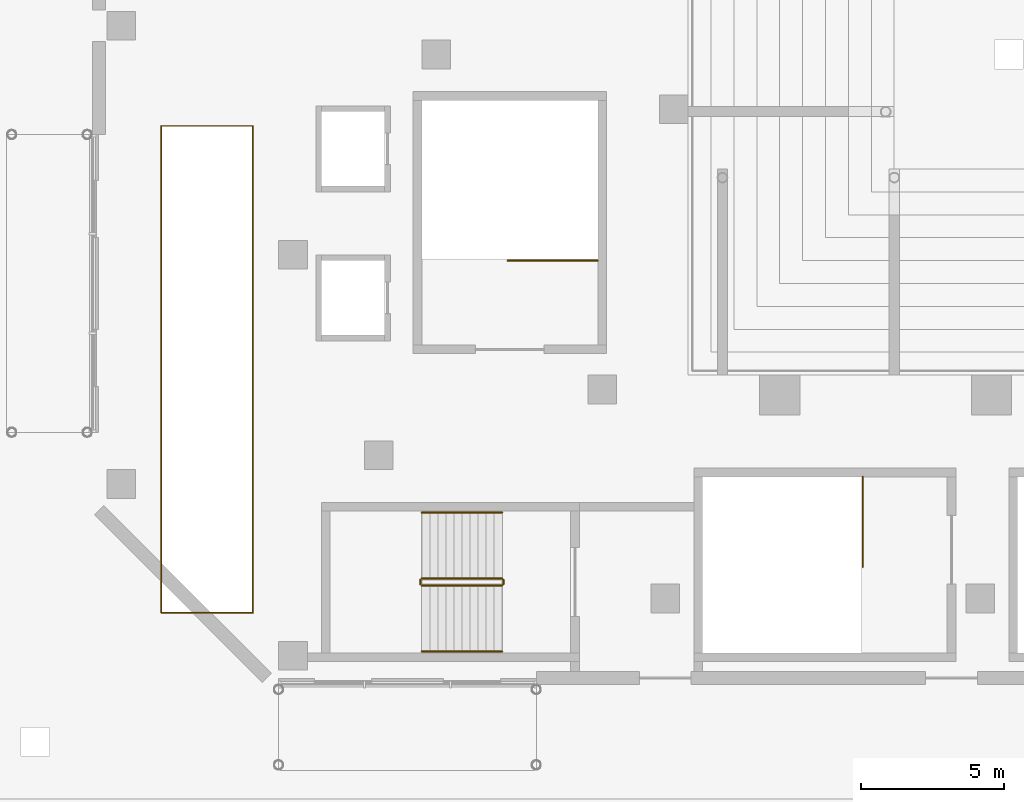
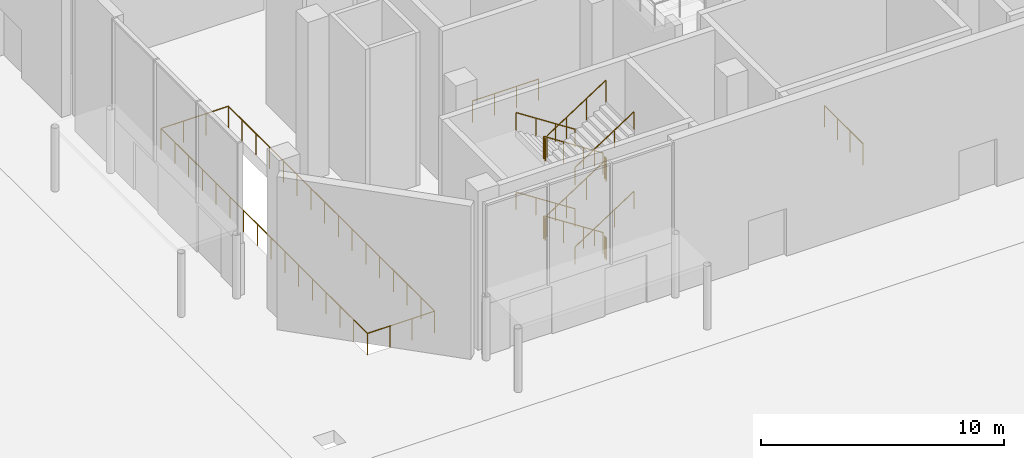
# One storey, part 32 of 41: 15 railings.
"""IFC4 building model written with IfcOpenShell, lengths in metres."""

from ifc_helpers import new_model, si_unit, direction, frame, origin, origin_2d, place, context, subcontext, project, spatial, circle, extrude, material, type_object, element, save


model = new_model("IFC4")

# Units and contexts
model_context = context("Model", 3, precision=1e-05, world=origin(), true_north=direction((0.0, 1.0)))
body_context = subcontext(model_context, "Body", "Model", "MODEL_VIEW")
ifc_project = project(units=[si_unit("LENGTHUNIT", "METRE"), si_unit("AREAUNIT", "SQUARE_METRE"), si_unit("VOLUMEUNIT", "CUBIC_METRE"), si_unit("PLANEANGLEUNIT", "RADIAN"), si_unit("MASSUNIT", "GRAM", prefix="KILO")], contexts=[model_context])

# Site, building, storey
site_placement = place(None, origin())
site = spatial("IfcSite", under=ifc_project, at=site_placement, CompositionType="ELEMENT")
building_placement = place(site_placement, origin())
building = spatial("IfcBuilding", under=site, at=building_placement, Name="Wharfspan Tower", CompositionType="ELEMENT")
storey_placement = place(building_placement, origin())
storey = spatial("IfcBuildingStorey", under=building, at=storey_placement, Name="L00", CompositionType="ELEMENT", Elevation=0.0)

# Railings
ifc_material = material(Name="Steel S355J2", Category="steel")
railing_type_1 = type_object("IfcRailingType", Name="Podium guard 1100", PredefinedType="GUARDRAIL", material=ifc_material)
railing_1_placement = place(storey_placement, frame((2.300049, -28.300049, 0.181885)))
element("IfcRailing", 1, at=railing_1_placement, inside=storey, type_object=railing_type_1, Name="L00 AS1 stair guard 1", PredefinedType="GUARDRAIL", context=body_context, shape_type="SweptSolid", body=[
    extrude(circle(Radius=0.023926, at=origin_2d()), frame((0.0, 0.0, 1.076172), z_axis=(-0.838706, 0.0, 0.544585), x_axis=(0.0, -1.0, 0.0)), (0.0, 0.0, 1.0), 3.338623),
    extrude(circle(Radius=0.020996, at=origin_2d()), origin(), (0.0, 0.0, 1.0), 1.052002),
    extrude(circle(Radius=0.020996, at=origin_2d()), frame((-0.93335, 0.0, 0.605957)), (0.0, 0.0, 1.0), 1.052002),
    extrude(circle(Radius=0.020996, at=origin_2d()), frame((-1.866699, 0.0, 1.212158)), (0.0, 0.0, 1.0), 1.052002),
    extrude(circle(Radius=0.020996, at=origin_2d()), frame((-2.800049, 0.0, 1.818115)), (0.0, 0.0, 1.0), 1.052002),
])
railing_2_placement = place(storey_placement, frame((-0.550049, -28.350098, 2.0)))
element("IfcRailing", 2, at=railing_2_placement, inside=storey, type_object=railing_type_1, Name="L00 AS1 stair guard 2", PredefinedType="GUARDRAIL", context=body_context, shape_type="SweptSolid", body=[
    extrude(circle(Radius=0.023926, at=origin_2d()), frame((0.0, 0.0, 1.076172), z_axis=(0.0, -1.0, 0.0), x_axis=(1.0, 0.0, 0.0)), (0.0, 0.0, 1.0), 0.149902),
    extrude(circle(Radius=0.020996, at=origin_2d()), origin(), (0.0, 0.0, 1.0), 1.052002),
    extrude(circle(Radius=0.020996, at=origin_2d()), frame((0.0, -0.149902, 0.0)), (0.0, 0.0, 1.0), 1.052002),
])
railing_3_placement = place(storey_placement, frame((-0.5, -28.550049, 2.181885)))
element("IfcRailing", 3, at=railing_3_placement, inside=storey, type_object=railing_type_1, Name="L00 AS1 stair guard 3", PredefinedType="GUARDRAIL", context=body_context, shape_type="SweptSolid", body=[
    extrude(circle(Radius=0.023926, at=origin_2d()), frame((0.0, 0.0, 1.076172), z_axis=(0.838706, 0.0, 0.544585), x_axis=(0.0, 1.0, 0.0)), (0.0, 0.0, 1.0), 3.338623),
    extrude(circle(Radius=0.020996, at=origin_2d()), origin(), (0.0, 0.0, 1.0), 1.052002),
    extrude(circle(Radius=0.020996, at=origin_2d()), frame((0.93335, 0.0, 0.605957)), (0.0, 0.0, 1.0), 1.052002),
    extrude(circle(Radius=0.020996, at=origin_2d()), frame((1.866699, 0.0, 1.212158)), (0.0, 0.0, 1.0), 1.052002),
    extrude(circle(Radius=0.020996, at=origin_2d()), frame((2.800049, 0.0, 1.818115)), (0.0, 0.0, 1.0), 1.052002),
])
railing_4_placement = place(storey_placement, frame((2.350098, -28.350098, 4.0)))
element("IfcRailing", 4, at=railing_4_placement, inside=storey, type_object=railing_type_1, Name="L00 AS1 stair guard 4", PredefinedType="GUARDRAIL", context=body_context, shape_type="SweptSolid", body=[
    extrude(circle(Radius=0.023926, at=origin_2d()), frame((0.0, 0.0, 1.076172), z_axis=(0.0, -1.0, 0.0), x_axis=(1.0, 0.0, 0.0)), (0.0, 0.0, 1.0), 0.149902),
    extrude(circle(Radius=0.020996, at=origin_2d()), origin(), (0.0, 0.0, 1.0), 1.052002),
    extrude(circle(Radius=0.020996, at=origin_2d()), frame((0.0, -0.149902, 0.0)), (0.0, 0.0, 1.0), 1.052002),
])
railing_5_placement = place(storey_placement, frame((2.300049, -28.300049, 4.181885)))
element("IfcRailing", 5, at=railing_5_placement, inside=storey, type_object=railing_type_1, Name="L00 AS1 stair guard 5", PredefinedType="GUARDRAIL", context=body_context, shape_type="SweptSolid", body=[
    extrude(circle(Radius=0.023926, at=origin_2d()), frame((0.0, 0.0, 1.076172), z_axis=(-0.838706, 0.0, 0.544585), x_axis=(0.0, -1.0, 0.0)), (0.0, 0.0, 1.0), 3.338623),
    extrude(circle(Radius=0.020996, at=origin_2d()), origin(), (0.0, 0.0, 1.0), 1.052002),
    extrude(circle(Radius=0.020996, at=origin_2d()), frame((-0.93335, 0.0, 0.605957)), (0.0, 0.0, 1.0), 1.052002),
    extrude(circle(Radius=0.020996, at=origin_2d()), frame((-1.866699, 0.0, 1.212158)), (0.0, 0.0, 1.0), 1.052002),
    extrude(circle(Radius=0.020996, at=origin_2d()), frame((-2.800049, 0.0, 1.818115)), (0.0, 0.0, 1.0), 1.052002),
])
railing_6_placement = place(storey_placement, frame((-0.550049, -28.350098, 6.0)))
element("IfcRailing", 6, at=railing_6_placement, inside=storey, type_object=railing_type_1, Name="L00 AS1 stair guard 6", PredefinedType="GUARDRAIL", context=body_context, shape_type="SweptSolid", body=[
    extrude(circle(Radius=0.023926, at=origin_2d()), frame((0.0, 0.0, 1.076172), z_axis=(0.0, -1.0, 0.0), x_axis=(1.0, 0.0, 0.0)), (0.0, 0.0, 1.0), 0.149902),
    extrude(circle(Radius=0.020996, at=origin_2d()), origin(), (0.0, 0.0, 1.0), 1.052002),
    extrude(circle(Radius=0.020996, at=origin_2d()), frame((0.0, -0.149902, 0.0)), (0.0, 0.0, 1.0), 1.052002),
])
railing_7_placement = place(storey_placement, frame((-0.5, -28.550049, 6.181885)))
element("IfcRailing", 7, at=railing_7_placement, inside=storey, type_object=railing_type_1, Name="L00 AS1 stair guard 7", PredefinedType="GUARDRAIL", context=body_context, shape_type="SweptSolid", body=[
    extrude(circle(Radius=0.023926, at=origin_2d()), frame((0.0, 0.0, 1.076172), z_axis=(0.838706, 0.0, 0.544585), x_axis=(0.0, 1.0, 0.0)), (0.0, 0.0, 1.0), 3.338623),
    extrude(circle(Radius=0.020996, at=origin_2d()), origin(), (0.0, 0.0, 1.0), 1.052002),
    extrude(circle(Radius=0.020996, at=origin_2d()), frame((0.93335, 0.0, 0.605957)), (0.0, 0.0, 1.0), 1.052002),
    extrude(circle(Radius=0.020996, at=origin_2d()), frame((1.866699, 0.0, 1.212158)), (0.0, 0.0, 1.0), 1.052002),
    extrude(circle(Radius=0.020996, at=origin_2d()), frame((2.800049, 0.0, 1.818115)), (0.0, 0.0, 1.0), 1.052002),
])
railing_8_placement = place(storey_placement, frame((2.350098, -28.350098, 0.0)))
element("IfcRailing", 8, at=railing_8_placement, inside=storey, type_object=railing_type_1, Name="L00 AS1 stair guard 8", PredefinedType="GUARDRAIL", context=body_context, shape_type="SweptSolid", body=[
    extrude(circle(Radius=0.023926, at=origin_2d()), frame((0.0, 0.0, 1.076172), z_axis=(0.0, -1.0, 0.0), x_axis=(1.0, 0.0, 0.0)), (0.0, 0.0, 1.0), 0.149902),
    extrude(circle(Radius=0.020996, at=origin_2d()), origin(), (0.0, 0.0, 1.0), 1.052002),
    extrude(circle(Radius=0.020996, at=origin_2d()), frame((0.0, -0.149902, 0.0)), (0.0, 0.0, 1.0), 1.052002),
])
railing_9_placement = place(storey_placement, frame((14.899902, -24.75, 0.0)))
element("IfcRailing", 9, at=railing_9_placement, inside=storey, type_object=railing_type_1, Name="L00 SB1 top well guard 1", PredefinedType="GUARDRAIL", context=body_context, shape_type="SweptSolid", body=[
    extrude(circle(Radius=0.023926, at=origin_2d()), frame((0.0, 0.0, 1.076172), z_axis=(0.0, -1.0, 0.0), x_axis=(1.0, 0.0, 0.0)), (0.0, 0.0, 1.0), 3.149902),
    extrude(circle(Radius=0.020996, at=origin_2d()), origin(), (0.0, 0.0, 1.0), 1.052002),
    extrude(circle(Radius=0.020996, at=origin_2d()), frame((0.0, -1.050049, 0.0)), (0.0, 0.0, 1.0), 1.052002),
    extrude(circle(Radius=0.020996, at=origin_2d()), frame((0.0, -2.099854, 0.0)), (0.0, 0.0, 1.0), 1.052002),
    extrude(circle(Radius=0.020996, at=origin_2d()), frame((0.0, -3.149902, 0.0)), (0.0, 0.0, 1.0), 1.052002),
])
railing_10_placement = place(storey_placement, frame((5.649902, -17.199951, 0.0)))
element("IfcRailing", 10, at=railing_10_placement, inside=storey, type_object=railing_type_1, Name="L00 SB6 top well guard 1", PredefinedType="GUARDRAIL", context=body_context, shape_type="SweptSolid", body=[
    extrude(circle(Radius=0.023926, at=origin_2d()), frame((0.0, 0.0, 1.076172), z_axis=(-1.0, 0.0, 0.0), x_axis=(0.0, -1.0, 0.0)), (0.0, 0.0, 1.0), 3.149902),
    extrude(circle(Radius=0.020996, at=origin_2d()), origin(), (0.0, 0.0, 1.0), 1.052002),
    extrude(circle(Radius=0.020996, at=origin_2d()), frame((-1.050049, 0.0, 0.0)), (0.0, 0.0, 1.0), 1.052002),
    extrude(circle(Radius=0.020996, at=origin_2d()), frame((-2.099854, 0.0, 0.0)), (0.0, 0.0, 1.0), 1.052002),
    extrude(circle(Radius=0.020996, at=origin_2d()), frame((-3.149902, 0.0, 0.0)), (0.0, 0.0, 1.0), 1.052002),
])
railing_11_placement = place(storey_placement, frame((-9.600098, -29.5, 0.0)))
element("IfcRailing", 11, at=railing_11_placement, inside=storey, type_object=railing_type_1, Name="L00 escalator void guard", PredefinedType="GUARDRAIL", context=body_context, shape_type="SweptSolid", body=[
    extrude(circle(Radius=0.023926, at=origin_2d()), frame((0.0, 0.0, 1.076172), z_axis=(0.0, 1.0, 0.0), x_axis=(-1.0, 0.0, 0.0)), (0.0, 0.0, 1.0), 17.0),
    extrude(circle(Radius=0.023926, at=origin_2d()), frame((0.0, 17.0, 1.076172), z_axis=(1.0, 0.0, 0.0), x_axis=(0.0, 1.0, 0.0)), (0.0, 0.0, 1.0), 3.200195),
    extrude(circle(Radius=0.023926, at=origin_2d()), frame((3.200195, 17.0, 1.076172), z_axis=(0.0, -1.0, 0.0), x_axis=(1.0, 0.0, 0.0)), (0.0, 0.0, 1.0), 17.0),
    extrude(circle(Radius=0.023926, at=origin_2d()), frame((3.200195, 0.0, 1.076172), z_axis=(-1.0, 0.0, 0.0), x_axis=(0.0, -1.0, 0.0)), (0.0, 0.0, 1.0), 3.200195),
    extrude(circle(Radius=0.020996, at=origin_2d()), origin(), (0.0, 0.0, 1.0), 1.052002),
    extrude(circle(Radius=0.020996, at=origin_2d()), frame((0.0, 1.133301, 0.0)), (0.0, 0.0, 1.0), 1.052002),
    extrude(circle(Radius=0.020996, at=origin_2d()), frame((0.0, 2.266602, 0.0)), (0.0, 0.0, 1.0), 1.052002),
    extrude(circle(Radius=0.020996, at=origin_2d()), frame((0.0, 3.399902, 0.0)), (0.0, 0.0, 1.0), 1.052002),
    extrude(circle(Radius=0.020996, at=origin_2d()), frame((0.0, 4.533447, 0.0)), (0.0, 0.0, 1.0), 1.052002),
    extrude(circle(Radius=0.020996, at=origin_2d()), frame((0.0, 5.666748, 0.0)), (0.0, 0.0, 1.0), 1.052002),
    extrude(circle(Radius=0.020996, at=origin_2d()), frame((0.0, 6.800049, 0.0)), (0.0, 0.0, 1.0), 1.052002),
    extrude(circle(Radius=0.020996, at=origin_2d()), frame((0.0, 7.93335, 0.0)), (0.0, 0.0, 1.0), 1.052002),
    extrude(circle(Radius=0.020996, at=origin_2d()), frame((0.0, 9.06665, 0.0)), (0.0, 0.0, 1.0), 1.052002),
    extrude(circle(Radius=0.020996, at=origin_2d()), frame((0.0, 10.199951, 0.0)), (0.0, 0.0, 1.0), 1.052002),
    extrude(circle(Radius=0.020996, at=origin_2d()), frame((0.0, 11.333252, 0.0)), (0.0, 0.0, 1.0), 1.052002),
    extrude(circle(Radius=0.020996, at=origin_2d()), frame((0.0, 12.466553, 0.0)), (0.0, 0.0, 1.0), 1.052002),
    extrude(circle(Radius=0.020996, at=origin_2d()), frame((0.0, 13.600098, 0.0)), (0.0, 0.0, 1.0), 1.052002),
    extrude(circle(Radius=0.020996, at=origin_2d()), frame((0.0, 14.733398, 0.0)), (0.0, 0.0, 1.0), 1.052002),
    extrude(circle(Radius=0.020996, at=origin_2d()), frame((0.0, 15.866699, 0.0)), (0.0, 0.0, 1.0), 1.052002),
    extrude(circle(Radius=0.020996, at=origin_2d()), frame((0.0, 17.0, 0.0)), (0.0, 0.0, 1.0), 1.052002),
    extrude(circle(Radius=0.020996, at=origin_2d()), frame((1.06665, 17.0, 0.0)), (0.0, 0.0, 1.0), 1.052002),
    extrude(circle(Radius=0.020996, at=origin_2d()), frame((2.133545, 17.0, 0.0)), (0.0, 0.0, 1.0), 1.052002),
    extrude(circle(Radius=0.020996, at=origin_2d()), frame((3.200195, 17.0, 0.0)), (0.0, 0.0, 1.0), 1.052002),
    extrude(circle(Radius=0.020996, at=origin_2d()), frame((3.200195, 15.866699, 0.0)), (0.0, 0.0, 1.0), 1.052002),
    extrude(circle(Radius=0.020996, at=origin_2d()), frame((3.200195, 14.733398, 0.0)), (0.0, 0.0, 1.0), 1.052002),
    extrude(circle(Radius=0.020996, at=origin_2d()), frame((3.200195, 13.600098, 0.0)), (0.0, 0.0, 1.0), 1.052002),
    extrude(circle(Radius=0.020996, at=origin_2d()), frame((3.200195, 12.466553, 0.0)), (0.0, 0.0, 1.0), 1.052002),
    extrude(circle(Radius=0.020996, at=origin_2d()), frame((3.200195, 11.333252, 0.0)), (0.0, 0.0, 1.0), 1.052002),
    extrude(circle(Radius=0.020996, at=origin_2d()), frame((3.200195, 10.199951, 0.0)), (0.0, 0.0, 1.0), 1.052002),
    extrude(circle(Radius=0.020996, at=origin_2d()), frame((3.200195, 9.06665, 0.0)), (0.0, 0.0, 1.0), 1.052002),
    extrude(circle(Radius=0.020996, at=origin_2d()), frame((3.200195, 7.93335, 0.0)), (0.0, 0.0, 1.0), 1.052002),
    extrude(circle(Radius=0.020996, at=origin_2d()), frame((3.200195, 6.800049, 0.0)), (0.0, 0.0, 1.0), 1.052002),
    extrude(circle(Radius=0.020996, at=origin_2d()), frame((3.200195, 5.666748, 0.0)), (0.0, 0.0, 1.0), 1.052002),
    extrude(circle(Radius=0.020996, at=origin_2d()), frame((3.200195, 4.533447, 0.0)), (0.0, 0.0, 1.0), 1.052002),
    extrude(circle(Radius=0.020996, at=origin_2d()), frame((3.200195, 3.399902, 0.0)), (0.0, 0.0, 1.0), 1.052002),
    extrude(circle(Radius=0.020996, at=origin_2d()), frame((3.200195, 2.266602, 0.0)), (0.0, 0.0, 1.0), 1.052002),
    extrude(circle(Radius=0.020996, at=origin_2d()), frame((3.200195, 1.133301, 0.0)), (0.0, 0.0, 1.0), 1.052002),
    extrude(circle(Radius=0.020996, at=origin_2d()), frame((3.200195, 0.0, 0.0)), (0.0, 0.0, 1.0), 1.052002),
    extrude(circle(Radius=0.020996, at=origin_2d()), frame((2.133545, 0.0, 0.0)), (0.0, 0.0, 1.0), 1.052002),
    extrude(circle(Radius=0.020996, at=origin_2d()), frame((1.06665, 0.0, 0.0)), (0.0, 0.0, 1.0), 1.052002),
])
railing_type_2 = type_object("IfcRailingType", Name="Podium stair handrail 900", PredefinedType="HANDRAIL", material=ifc_material)
railing_12_placement = place(storey_placement, frame((2.300049, -26.0, 0.181885)))
element("IfcRailing", 12, at=railing_12_placement, inside=storey, type_object=railing_type_2, Name="L00 AS1 stair handrail 1", PredefinedType="HANDRAIL", context=body_context, shape_type="SweptSolid", body=[
    extrude(circle(Radius=0.023926, at=origin_2d()), frame((0.0, 0.0, 0.875977), z_axis=(-0.838706, 0.0, 0.544585), x_axis=(0.0, -1.0, 0.0)), (0.0, 0.0, 1.0), 3.338623),
    extrude(circle(Radius=0.020996, at=origin_2d()), origin(), (0.0, 0.0, 1.0), 0.851807),
    extrude(circle(Radius=0.020996, at=origin_2d()), frame((-0.93335, 0.0, 0.605957)), (0.0, 0.0, 1.0), 0.851807),
    extrude(circle(Radius=0.020996, at=origin_2d()), frame((-1.866699, 0.0, 1.212158)), (0.0, 0.0, 1.0), 0.851807),
    extrude(circle(Radius=0.020996, at=origin_2d()), frame((-2.800049, 0.0, 1.818115)), (0.0, 0.0, 1.0), 0.851807),
])
railing_13_placement = place(storey_placement, frame((-0.5, -30.850098, 2.181885)))
element("IfcRailing", 13, at=railing_13_placement, inside=storey, type_object=railing_type_2, Name="L00 AS1 stair handrail 2", PredefinedType="HANDRAIL", context=body_context, shape_type="SweptSolid", body=[
    extrude(circle(Radius=0.023926, at=origin_2d()), frame((0.0, 0.0, 0.875977), z_axis=(0.838706, 0.0, 0.544585), x_axis=(0.0, 1.0, 0.0)), (0.0, 0.0, 1.0), 3.338623),
    extrude(circle(Radius=0.020996, at=origin_2d()), origin(), (0.0, 0.0, 1.0), 0.851807),
    extrude(circle(Radius=0.020996, at=origin_2d()), frame((0.93335, 0.0, 0.605957)), (0.0, 0.0, 1.0), 0.851807),
    extrude(circle(Radius=0.020996, at=origin_2d()), frame((1.866699, 0.0, 1.212158)), (0.0, 0.0, 1.0), 0.851807),
    extrude(circle(Radius=0.020996, at=origin_2d()), frame((2.800049, 0.0, 1.818115)), (0.0, 0.0, 1.0), 0.851807),
])
railing_14_placement = place(storey_placement, frame((2.300049, -26.0, 4.181885)))
element("IfcRailing", 14, at=railing_14_placement, inside=storey, type_object=railing_type_2, Name="L00 AS1 stair handrail 3", PredefinedType="HANDRAIL", context=body_context, shape_type="SweptSolid", body=[
    extrude(circle(Radius=0.023926, at=origin_2d()), frame((0.0, 0.0, 0.875977), z_axis=(-0.838706, 0.0, 0.544585), x_axis=(0.0, -1.0, 0.0)), (0.0, 0.0, 1.0), 3.338623),
    extrude(circle(Radius=0.020996, at=origin_2d()), origin(), (0.0, 0.0, 1.0), 0.851807),
    extrude(circle(Radius=0.020996, at=origin_2d()), frame((-0.93335, 0.0, 0.605957)), (0.0, 0.0, 1.0), 0.851807),
    extrude(circle(Radius=0.020996, at=origin_2d()), frame((-1.866699, 0.0, 1.212158)), (0.0, 0.0, 1.0), 0.851807),
    extrude(circle(Radius=0.020996, at=origin_2d()), frame((-2.800049, 0.0, 1.818115)), (0.0, 0.0, 1.0), 0.851807),
])
railing_15_placement = place(storey_placement, frame((-0.5, -30.850098, 6.181885)))
element("IfcRailing", 15, at=railing_15_placement, inside=storey, type_object=railing_type_2, Name="L00 AS1 stair handrail 4", PredefinedType="HANDRAIL", context=body_context, shape_type="SweptSolid", body=[
    extrude(circle(Radius=0.023926, at=origin_2d()), frame((0.0, 0.0, 0.875977), z_axis=(0.838706, 0.0, 0.544585), x_axis=(0.0, 1.0, 0.0)), (0.0, 0.0, 1.0), 3.338623),
    extrude(circle(Radius=0.020996, at=origin_2d()), origin(), (0.0, 0.0, 1.0), 0.851807),
    extrude(circle(Radius=0.020996, at=origin_2d()), frame((0.93335, 0.0, 0.605957)), (0.0, 0.0, 1.0), 0.851807),
    extrude(circle(Radius=0.020996, at=origin_2d()), frame((1.866699, 0.0, 1.212158)), (0.0, 0.0, 1.0), 0.851807),
    extrude(circle(Radius=0.020996, at=origin_2d()), frame((2.800049, 0.0, 1.818115)), (0.0, 0.0, 1.0), 0.851807),
])

save(model, "model.ifc")
